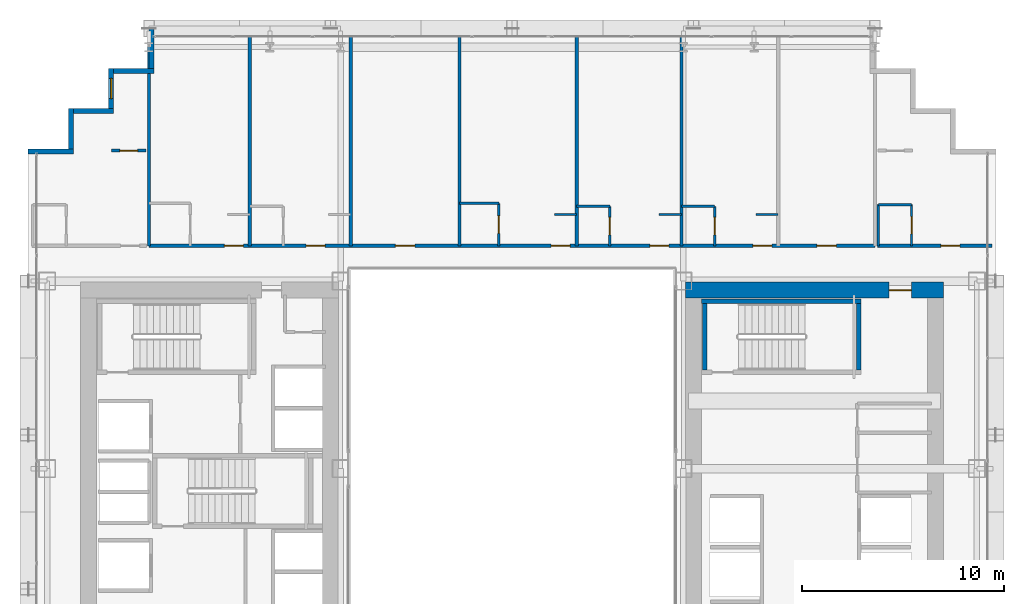
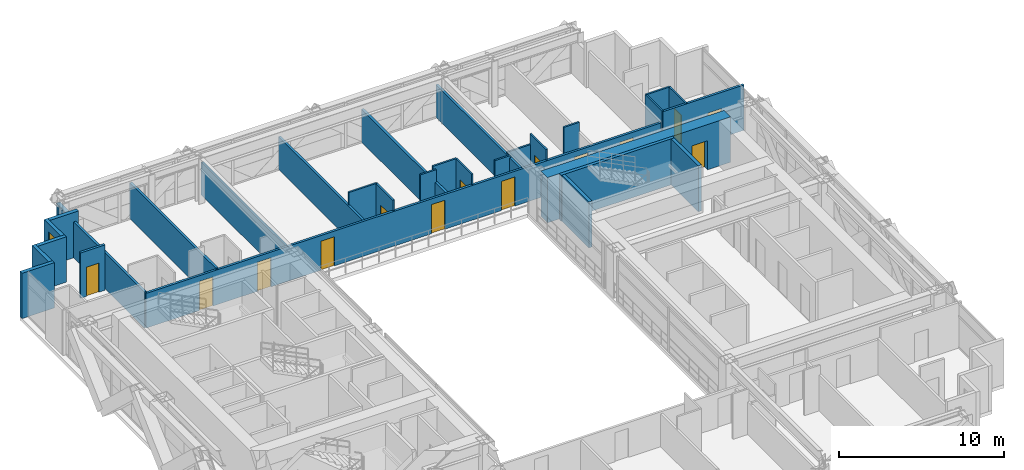
# One storey, part 36 of 41: 31 walls, 14 doors, 1 window, 15 openings.
"""IFC4 building model written with IfcOpenShell, lengths in metres."""

from ifc_helpers import new_model, si_unit, direction, frame, frame_2d, origin, place, context, subcontext, project, spatial, rectangle, extrude, source, transform, mapped, material, layer, layer_set, type_object, element, fill, save


model = new_model("IFC4")

# Units and contexts
model_context = context("Model", 3, precision=1e-05, world=origin(), true_north=direction((0.0, 1.0)))
body_context = subcontext(model_context, "Body", "Model", "MODEL_VIEW")
ifc_project = project(units=[si_unit("LENGTHUNIT", "METRE"), si_unit("AREAUNIT", "SQUARE_METRE"), si_unit("VOLUMEUNIT", "CUBIC_METRE"), si_unit("PLANEANGLEUNIT", "RADIAN"), si_unit("MASSUNIT", "GRAM", prefix="KILO")], contexts=[model_context])

# Site, building, storey
site_placement = place(None, origin())
site = spatial("IfcSite", under=ifc_project, at=site_placement, CompositionType="ELEMENT")
building_placement = place(site_placement, origin())
building = spatial("IfcBuilding", under=site, at=building_placement, Name="Ocotamira Hotel", CompositionType="ELEMENT")
storey_placement = place(building_placement, frame((0.0, 0.0, 67.199951171875)))
storey = spatial("IfcBuildingStorey", under=building, at=storey_placement, Name="L16", CompositionType="ELEMENT", Elevation=67.199951171875)

# Wall, opening, door
ifc_material_1 = material(Name="Concrete C60/75", Category="concrete")
ifc_layer_1 = layer(ifc_material_1, 0.800048828125)
ifc_layer_set_1 = layer_set([ifc_layer_1], Name="Concrete C60/75")
wall_type_1 = type_object("IfcWallType", Name="WL-CORE-800", PredefinedType="SHEAR", material=ifc_layer_set_1)
wall_1_placement = place(storey_placement, frame((40.60009765625, 37.0, 0.0), z_axis=(0.0, 0.0, 1.0), x_axis=(1.0, 0.0, 0.0)))
wall_1 = element("IfcWall", 1, at=wall_1_placement, inside=storey, type_object=wall_type_1, Name="L16 Shear Core Wall ECORE-N", PredefinedType="SHEAR", context=body_context, shape_type="SweptSolid", body=[
    extrude(rectangle(XDim=12.7998046875, YDim=0.800048828125, at=frame_2d((6.39990234375, 0.0))), origin(), (0.0, 0.0, 1.0), 3.35009765625),
])
opening_1_placement = place(wall_1_placement, frame((10.10009765625, 0.0, 0.0)))
opening_1 = element("IfcOpeningElement", 2, at=opening_1_placement, cuts=wall_1, Name="Opening D-FR1", PredefinedType="OPENING", context=body_context, shape_type="SweptSolid", body=[
    extrude(rectangle(XDim=1.10009765625, YDim=2.14990234375, at=frame_2d((0.550048828125, 1.074951171875))), frame((0.0, 0.41015625, 0.0), z_axis=(0.0, -1.0, 0.0), x_axis=(1.0, 0.0, 0.0)), (0.0, 0.0, 1.0), 0.820068359375),
])
ifc_material_2 = material(Name="Fire-rated acoustic timber-veneer door", Category="wood")
door_type_1 = type_object("IfcDoorType", Name="DR-FIRE-1100", OperationType="NOTDEFINED", PredefinedType="DOOR", material=ifc_material_2)
shared_shape_1 = source(origin(), body_context, "Body", "SweptSolid", [
    extrude(rectangle(XDim=1.10009765625, YDim=2.14990234375, at=frame_2d((0.550048828125, 1.074951171875))), frame((0.0, 0.02490234375, 0.0), z_axis=(0.0, -1.0, 0.0), x_axis=(1.0, 0.0, 0.0)), (0.0, 0.0, 1.0), 0.050048828125),
])
door_1_placement = place(opening_1_placement, origin())
door_1 = element("IfcDoor", 3, at=door_1_placement, inside=storey, type_object=door_type_1, Name="L16 Door ID-L16-ELOB-N-D [ID-L16-ELOB-N-D]", OperationType="SINGLE_SWING_LEFT", OverallHeight=2.14990234375, OverallWidth=1.10009765625, PredefinedType="DOOR", context=body_context, shape_type="MappedRepresentation", body=[
    mapped(shared_shape_1, transform((0.0, 0.0, 0.0), scale=1.0)),
])
fill(opening_1, door_1)

# Walls
ifc_material_3 = material(Name="Precast concrete C45/55", Category="concrete")
ifc_layer_2 = layer(ifc_material_3, 0.25)
ifc_layer_set_2 = layer_set([ifc_layer_2], Name="Precast concrete C45/55")
wall_type_2 = type_object("IfcWallType", Name="WL-EXT-SER-250", PredefinedType="SOLIDWALL", material=ifc_layer_set_2)
wall_2_placement = place(storey_placement, frame((14.125, 50.0, 0.0), z_axis=(0.0, 0.0, 1.0), x_axis=(0.0, -1.0, 0.0)))
element("IfcWall", 4, at=wall_2_placement, inside=storey, type_object=wall_type_2, Name="L16 Serrated Corner Wall 13", PredefinedType="SOLIDWALL", context=body_context, shape_type="SweptSolid", body=[
    extrude(rectangle(XDim=2.0, YDim=0.25, at=frame_2d((1.0, 0.0))), origin(), (0.0, 0.0, 1.0), 2.656982421875),
])
wall_3_placement = place(storey_placement, frame((14.25, 47.875, 0.0), z_axis=(0.0, 0.0, 1.0), x_axis=(-1.0, 0.0, 0.0)))
element("IfcWall", 5, at=wall_3_placement, inside=storey, type_object=wall_type_2, Name="L16 Serrated Corner Wall 14", PredefinedType="SOLIDWALL", context=body_context, shape_type="SweptSolid", body=[
    extrude(rectangle(XDim=2.0, YDim=0.25, at=frame_2d((1.0, 0.0))), origin(), (0.0, 0.0, 1.0), 3.35009765625),
])

# Wall, opening, window
wall_4_placement = place(storey_placement, frame((12.125, 48.0, 0.0), z_axis=(0.0, 0.0, 1.0), x_axis=(0.0, -1.0, 0.0)))
wall_4 = element("IfcWall", 6, at=wall_4_placement, inside=storey, type_object=wall_type_2, Name="L16 Serrated Corner Wall 15", PredefinedType="SOLIDWALL", context=body_context, shape_type="SweptSolid", body=[
    extrude(rectangle(XDim=2.0, YDim=0.25, at=frame_2d((1.0, 0.0))), origin(), (0.0, 0.0, 1.0), 3.35009765625),
])
opening_2_placement = place(wall_4_placement, frame((0.5, 0.0, 0.85009765625)))
opening_2 = element("IfcOpeningElement", 7, at=opening_2_placement, cuts=wall_4, Name="Opening WN-2", PredefinedType="OPENING", context=body_context, shape_type="SweptSolid", body=[
    extrude(rectangle(XDim=1.0, YDim=1.89990234375, at=frame_2d((0.5, 0.949951171875))), frame((0.0, 0.135009765625, 0.0), z_axis=(0.0, -1.0, 0.0), x_axis=(1.0, 0.0, 0.0)), (0.0, 0.0, 1.0), 0.27001953125),
])
ifc_material_4 = material(Name="Double-silver low-E solar glass", Category="glass")
window_type = type_object("IfcWindowType", Name="WIN-SER-1100", PartitioningType="SINGLE_PANEL", PredefinedType="WINDOW", material=ifc_material_4)
shared_shape_2 = source(origin(), body_context, "Body", "SweptSolid", [
    extrude(rectangle(XDim=1.0, YDim=1.89990234375, at=frame_2d((0.5, 0.949951171875))), frame((0.0, 0.030029296875, 0.0), z_axis=(0.0, -1.0, 0.0), x_axis=(1.0, 0.0, 0.0)), (0.0, 0.0, 1.0), 0.06005859375),
])
window_placement = place(opening_2_placement, origin())
window = element("IfcWindow", 8, at=window_placement, inside=storey, type_object=window_type, Name="L16 Serrated Corner Window 15", OverallHeight=1.89990234375, OverallWidth=1.0, PartitioningType="SINGLE_PANEL", PredefinedType="WINDOW", context=body_context, shape_type="MappedRepresentation", body=[
    mapped(shared_shape_2, transform((0.0, 0.0, 0.0), scale=1.0)),
])
fill(opening_2, window)

# Walls
for number, where, z_axis, x_axis, name in (
    (9, (12.25, 45.875, 0.0), (0.0, 0.0, 1.0), (-1.0, 0.0, 0.0), "L16 Serrated Corner Wall 16"),
    (10, (10.125, 46.0, 0.0), (0.0, 0.0, 1.0), (0.0, -1.0, 0.0), "L16 Serrated Corner Wall 17"),
):
    element("IfcWall", number, at=place(storey_placement, frame(where, z_axis=z_axis, x_axis=x_axis)), inside=storey, type_object=wall_type_2, Name=name, PredefinedType="SOLIDWALL", context=body_context, shape_type="SweptSolid", body=[
        extrude(rectangle(XDim=2.0, YDim=0.25, at=frame_2d((1.0, 0.0))), origin(), (0.0, 0.0, 1.0), 3.35009765625),
    ])
wall_5_placement = place(storey_placement, frame((10.25, 43.875, 0.0), z_axis=(0.0, 0.0, 1.0), x_axis=(-1.0, 0.0, 0.0)))
element("IfcWall", 11, at=wall_5_placement, inside=storey, type_object=wall_type_2, Name="L16 Serrated Corner Wall 18", PredefinedType="SOLIDWALL", context=body_context, shape_type="SweptSolid", body=[
    extrude(rectangle(XDim=2.25, YDim=0.25, at=frame_2d((1.125, 0.0))), origin(), (0.0, 0.0, 1.0), 3.35009765625),
])

# Wall, opening, door
ifc_material_5 = material(Name="Acoustic double-layer fire gypsum board partition", Category="gypsum")
ifc_layer_3 = layer(ifc_material_5, 0.159912109375)
ifc_layer_set_3 = layer_set([ifc_layer_3], Name="Acoustic double-layer fire gypsum board partition")
wall_type_3 = type_object("IfcWallType", Name="WL-FIRE-160", PredefinedType="PARTITIONING", material=ifc_layer_set_3)
wall_6_placement = place(storey_placement, frame((50.1201171875, 39.199951171875, 0.0), z_axis=(0.0, 0.0, 1.0), x_axis=(1.0, 0.0, 0.0)))
wall_6 = element("IfcWall", 12, at=wall_6_placement, inside=storey, type_object=wall_type_3, Name="L16 Interior Wall PW-L16-Z1D-CNE-CW", PredefinedType="PARTITIONING", context=body_context, shape_type="SweptSolid", body=[
    extrude(rectangle(XDim=5.679931640625, YDim=0.159912109375, at=frame_2d((2.83984375, 0.0))), origin(), (0.0, 0.0, 1.0), 3.35009765625),
])
opening_3_placement = place(wall_6_placement, frame((3.14990234375, 0.0, 0.0)))
opening_3 = element("IfcOpeningElement", 13, at=opening_3_placement, cuts=wall_6, Name="Opening D-GR1", PredefinedType="OPENING", context=body_context, shape_type="SweptSolid", body=[
    extrude(rectangle(XDim=0.93994140625, YDim=2.14990234375, at=frame_2d((0.469970703125, 1.074951171875))), frame((0.0, 0.08984375, 0.0), z_axis=(0.0, -1.0, 0.0), x_axis=(1.0, 0.0, 0.0)), (0.0, 0.0, 1.0), 0.179931640625),
])
ifc_material_6 = material(Name="Solid-core walnut suite entrance fire door", Category="wood")
door_type_2 = type_object("IfcDoorType", Name="DR-GUEST-940", OperationType="NOTDEFINED", PredefinedType="DOOR", material=ifc_material_6)
shared_shape_3 = source(origin(), body_context, "Body", "SweptSolid", [
    extrude(rectangle(XDim=0.93994140625, YDim=2.14990234375, at=frame_2d((0.469970703125, 1.074951171875))), frame((0.0, 0.02490234375, 0.0), z_axis=(0.0, -1.0, 0.0), x_axis=(1.0, 0.0, 0.0)), (0.0, 0.0, 1.0), 0.050048828125),
])
door_2_placement = place(opening_3_placement, origin())
door_2 = element("IfcDoor", 14, at=door_2_placement, inside=storey, type_object=door_type_2, Name="L16 Door ID-L16-Z1D-CNE-CD [ID-L16-Z1D-CNE-CD]", OperationType="SINGLE_SWING_RIGHT", OverallHeight=2.14990234375, OverallWidth=0.93994140625, PredefinedType="DOOR", context=body_context, shape_type="MappedRepresentation", body=[
    mapped(shared_shape_3, transform((0.0, 0.0, 0.0), scale=1.0)),
])
fill(opening_3, door_2)

wall_7_placement = place(storey_placement, frame((12.14990234375, 43.919921875, 0.0), z_axis=(0.0, 0.0, 1.0), x_axis=(1.0, 0.0, 0.0)))
wall_7 = element("IfcWall", 15, at=wall_7_placement, inside=storey, type_object=wall_type_3, Name="L16 Interior Wall PW-L16-Z1D-CNW2-CW", PredefinedType="PARTITIONING", context=body_context, shape_type="SweptSolid", body=[
    extrude(rectangle(XDim=1.7001953125, YDim=0.159912109375, at=frame_2d((0.85009765625, 0.0))), origin(), (0.0, 0.0, 1.0), 3.35009765625),
])
opening_4_placement = place(wall_7_placement, frame((0.409912109375, 0.0, 0.0)))
opening_4 = element("IfcOpeningElement", 16, at=opening_4_placement, cuts=wall_7, Name="Opening D-SV2", PredefinedType="OPENING", context=body_context, shape_type="SweptSolid", body=[
    extrude(rectangle(XDim=0.8798828125, YDim=2.14990234375, at=frame_2d((0.43994140625, 1.074951171875))), frame((0.0, 0.08984375, 0.0), z_axis=(0.0, -1.0, 0.0), x_axis=(1.0, 0.0, 0.0)), (0.0, 0.0, 1.0), 0.179931640625),
])
ifc_material_7 = material(Name="Fire-rated painted steel service door", Category="steel")
door_type_3 = type_object("IfcDoorType", Name="DR-SERV-880", OperationType="NOTDEFINED", PredefinedType="DOOR", material=ifc_material_7)
shared_shape_4 = source(origin(), body_context, "Body", "SweptSolid", [
    extrude(rectangle(XDim=0.8798828125, YDim=2.14990234375, at=frame_2d((0.43994140625, 1.074951171875))), frame((0.0, 0.02490234375, 0.0), z_axis=(0.0, -1.0, 0.0), x_axis=(1.0, 0.0, 0.0)), (0.0, 0.0, 1.0), 0.050048828125),
])
door_3_placement = place(opening_4_placement, origin())
door_3 = element("IfcDoor", 17, at=door_3_placement, inside=storey, type_object=door_type_3, Name="L16 Door ID-L16-Z1D-CNW2-CD [ID-L16-Z1D-CNW2-CD]", OperationType="SINGLE_SWING_LEFT", OverallHeight=2.14990234375, OverallWidth=0.8798828125, PredefinedType="DOOR", context=body_context, shape_type="MappedRepresentation", body=[
    mapped(shared_shape_4, transform((0.0, 0.0, 0.0), scale=1.0)),
])
fill(opening_4, door_3)

# Wall, openings, doors
wall_8_placement = place(storey_placement, frame((14.0, 39.199951171875, 0.0), z_axis=(0.0, 0.0, 1.0), x_axis=(1.0, 0.0, 0.0)))
wall_8 = element("IfcWall", 18, at=wall_8_placement, inside=storey, type_object=wall_type_3, Name="L16 Interior Wall PW-L16-Z1DN-CORRW", PredefinedType="PARTITIONING", context=body_context, shape_type="SweptSolid", body=[
    extrude(rectangle(XDim=36.0, YDim=0.159912109375, at=frame_2d((18.0, 0.0))), origin(), (0.0, 0.0, 1.0), 2.571044921875),
])
opening_5_placement = place(wall_8_placement, frame((3.739990234375, 0.0, 0.0)))
opening_5 = element("IfcOpeningElement", 19, at=opening_5_placement, cuts=wall_8, Name="Opening D-GR1", PredefinedType="OPENING", context=body_context, shape_type="SweptSolid", body=[
    extrude(rectangle(XDim=0.93994140625, YDim=2.14990234375, at=frame_2d((0.469970703125, 1.074951171875))), frame((0.0, 0.08984375, 0.0), z_axis=(0.0, -1.0, 0.0), x_axis=(1.0, 0.0, 0.0)), (0.0, 0.0, 1.0), 0.179931640625),
])
opening_6_placement = place(wall_8_placement, frame((7.7900390625, 0.0, 0.0)))
opening_6 = element("IfcOpeningElement", 20, at=opening_6_placement, cuts=wall_8, Name="Opening D-GR1", PredefinedType="OPENING", context=body_context, shape_type="SweptSolid", body=[
    extrude(rectangle(XDim=0.93994140625, YDim=2.14990234375, at=frame_2d((0.469970703125, 1.074951171875))), frame((0.0, 0.08984375, 0.0), z_axis=(0.0, -1.0, 0.0), x_axis=(1.0, 0.0, 0.0)), (0.0, 0.0, 1.0), 0.179931640625),
])
opening_7_placement = place(wall_8_placement, frame((12.219970703125, 0.0, 0.0)))
opening_7 = element("IfcOpeningElement", 21, at=opening_7_placement, cuts=wall_8, Name="Opening D-SV4", PredefinedType="OPENING", context=body_context, shape_type="SweptSolid", body=[
    extrude(rectangle(XDim=0.9599609375, YDim=2.14990234375, at=frame_2d((0.47998046875, 1.074951171875))), frame((0.0, 0.08984375, 0.0), z_axis=(0.0, -1.0, 0.0), x_axis=(1.0, 0.0, 0.0)), (0.0, 0.0, 1.0), 0.179931640625),
])
opening_8_placement = place(wall_8_placement, frame((19.93994140625, 0.0, 0.0)))
opening_8 = element("IfcOpeningElement", 22, at=opening_8_placement, cuts=wall_8, Name="Opening D-GR1", PredefinedType="OPENING", context=body_context, shape_type="SweptSolid", body=[
    extrude(rectangle(XDim=0.93994140625, YDim=2.14990234375, at=frame_2d((0.469970703125, 1.074951171875))), frame((0.0, 0.08984375, 0.0), z_axis=(0.0, -1.0, 0.0), x_axis=(1.0, 0.0, 0.0)), (0.0, 0.0, 1.0), 0.179931640625),
])
opening_9_placement = place(wall_8_placement, frame((24.840087890625, 0.0, 0.0)))
opening_9 = element("IfcOpeningElement", 23, at=opening_9_placement, cuts=wall_8, Name="Opening D-GR1", PredefinedType="OPENING", context=body_context, shape_type="SweptSolid", body=[
    extrude(rectangle(XDim=0.93994140625, YDim=2.14990234375, at=frame_2d((0.469970703125, 1.074951171875))), frame((0.0, 0.08984375, 0.0), z_axis=(0.0, -1.0, 0.0), x_axis=(1.0, 0.0, 0.0)), (0.0, 0.0, 1.0), 0.179931640625),
])
opening_10_placement = place(wall_8_placement, frame((29.93994140625, 0.0, 0.0)))
opening_10 = element("IfcOpeningElement", 24, at=opening_10_placement, cuts=wall_8, Name="Opening D-GR1", PredefinedType="OPENING", context=body_context, shape_type="SweptSolid", body=[
    extrude(rectangle(XDim=0.93994140625, YDim=2.14990234375, at=frame_2d((0.469970703125, 1.074951171875))), frame((0.0, 0.08984375, 0.0), z_axis=(0.0, -1.0, 0.0), x_axis=(1.0, 0.0, 0.0)), (0.0, 0.0, 1.0), 0.179931640625),
])
opening_11_placement = place(wall_8_placement, frame((33.1201171875, 0.0, 0.0)))
opening_11 = element("IfcOpeningElement", 25, at=opening_11_placement, cuts=wall_8, Name="Opening D-SV4", PredefinedType="OPENING", context=body_context, shape_type="SweptSolid", body=[
    extrude(rectangle(XDim=0.9599609375, YDim=2.14990234375, at=frame_2d((0.47998046875, 1.074951171875))), frame((0.0, 0.08984375, 0.0), z_axis=(0.0, -1.0, 0.0), x_axis=(1.0, 0.0, 0.0)), (0.0, 0.0, 1.0), 0.179931640625),
])
ifc_material_8 = material(Name="Fire-rated accessible walnut salon door", Category="wood")
door_type_4 = type_object("IfcDoorType", Name="DR-SERV-960", OperationType="NOTDEFINED", PredefinedType="DOOR", material=ifc_material_8)
shared_shape_5 = source(origin(), body_context, "Body", "SweptSolid", [
    extrude(rectangle(XDim=0.9599609375, YDim=2.14990234375, at=frame_2d((0.47998046875, 1.074951171875))), frame((0.0, 0.02490234375, 0.0), z_axis=(0.0, -1.0, 0.0), x_axis=(1.0, 0.0, 0.0)), (0.0, 0.0, 1.0), 0.050048828125),
])
door_4_placement = place(opening_7_placement, origin())
door_4 = element("IfcDoor", 26, at=door_4_placement, inside=storey, type_object=door_type_4, Name="L16 Door ID-L16-Z1DN-AMD3 [ID-L16-Z1DN-AMD3]", OperationType="SINGLE_SWING_LEFT", OverallHeight=2.14990234375, OverallWidth=0.9599609375, PredefinedType="DOOR", context=body_context, shape_type="MappedRepresentation", body=[
    mapped(shared_shape_5, transform((0.0, 0.0, 0.0), scale=1.0)),
])
fill(opening_7, door_4)
door_5_placement = place(opening_11_placement, origin())
door_5 = element("IfcDoor", 27, at=door_5_placement, inside=storey, type_object=door_type_4, Name="L16 Door ID-L16-Z1DN-AMD7 [ID-L16-Z1DN-AMD7]", OperationType="SINGLE_SWING_LEFT", OverallHeight=2.14990234375, OverallWidth=0.9599609375, PredefinedType="DOOR", context=body_context, shape_type="MappedRepresentation", body=[
    mapped(shared_shape_5, transform((0.0, 0.0, 0.0), scale=1.0)),
])
fill(opening_11, door_5)
door_6_placement = place(opening_5_placement, origin())
door_6 = element("IfcDoor", 28, at=door_6_placement, inside=storey, type_object=door_type_2, Name="L16 Door ID-L16-Z1DN-RMD1 [ID-L16-Z1DN-RMD1]", OperationType="SINGLE_SWING_LEFT", OverallHeight=2.14990234375, OverallWidth=0.93994140625, PredefinedType="DOOR", context=body_context, shape_type="MappedRepresentation", body=[
    mapped(shared_shape_3, transform((0.0, 0.0, 0.0), scale=1.0)),
])
fill(opening_5, door_6)
door_7_placement = place(opening_6_placement, origin())
door_7 = element("IfcDoor", 29, at=door_7_placement, inside=storey, type_object=door_type_2, Name="L16 Door ID-L16-Z1DN-RMD2 [ID-L16-Z1DN-RMD2]", OperationType="SINGLE_SWING_RIGHT", OverallHeight=2.14990234375, OverallWidth=0.93994140625, PredefinedType="DOOR", context=body_context, shape_type="MappedRepresentation", body=[
    mapped(shared_shape_3, transform((0.0, 0.0, 0.0), scale=1.0)),
])
fill(opening_6, door_7)
door_8_placement = place(opening_8_placement, origin())
door_8 = element("IfcDoor", 30, at=door_8_placement, inside=storey, type_object=door_type_2, Name="L16 Door ID-L16-Z1DN-RMD4 [ID-L16-Z1DN-RMD4]", OperationType="SINGLE_SWING_RIGHT", OverallHeight=2.14990234375, OverallWidth=0.93994140625, PredefinedType="DOOR", context=body_context, shape_type="MappedRepresentation", body=[
    mapped(shared_shape_3, transform((0.0, 0.0, 0.0), scale=1.0)),
])
fill(opening_8, door_8)
door_9_placement = place(opening_9_placement, origin())
door_9 = element("IfcDoor", 31, at=door_9_placement, inside=storey, type_object=door_type_2, Name="L16 Door ID-L16-Z1DN-RMD5 [ID-L16-Z1DN-RMD5]", OperationType="SINGLE_SWING_LEFT", OverallHeight=2.14990234375, OverallWidth=0.93994140625, PredefinedType="DOOR", context=body_context, shape_type="MappedRepresentation", body=[
    mapped(shared_shape_3, transform((0.0, 0.0, 0.0), scale=1.0)),
])
fill(opening_9, door_9)
door_10_placement = place(opening_10_placement, origin())
door_10 = element("IfcDoor", 32, at=door_10_placement, inside=storey, type_object=door_type_2, Name="L16 Door ID-L16-Z1DN-RMD6 [ID-L16-Z1DN-RMD6]", OperationType="SINGLE_SWING_RIGHT", OverallHeight=2.14990234375, OverallWidth=0.93994140625, PredefinedType="DOOR", context=body_context, shape_type="MappedRepresentation", body=[
    mapped(shared_shape_3, transform((0.0, 0.0, 0.0), scale=1.0)),
])
fill(opening_10, door_10)

# Wall, opening, door
ifc_material_9 = material(Name="Moisture-resistant en-suite tile and gypsum partition", Category="gypsum")
ifc_layer_4 = layer(ifc_material_9, 0.1201171875)
ifc_layer_set_4 = layer_set([ifc_layer_4], Name="Moisture-resistant en-suite tile and gypsum partition")
wall_type_4 = type_object("IfcWallType", Name="WL-PART-120", PredefinedType="PARTITIONING", material=ifc_layer_set_4)
wall_9_placement = place(storey_placement, frame((51.81005859375, 39.199951171875, 0.0), z_axis=(0.0, 0.0, 1.0), x_axis=(0.0, 1.0, 0.0)))
wall_9 = element("IfcWall", 33, at=wall_9_placement, inside=storey, type_object=wall_type_4, Name="L16 Interior Wall PW-L16-Z1D-CNE-BE", PredefinedType="PARTITIONING", context=body_context, shape_type="SweptSolid", body=[
    extrude(rectangle(XDim=2.0400390625, YDim=0.1201171875, at=frame_2d((1.02001953125, 0.0))), origin(), (0.0, 0.0, 1.0), 3.35009765625),
])
opening_12_placement = place(wall_9_placement, frame((0.590087890625, 0.0, 0.0)))
opening_12 = element("IfcOpeningElement", 34, at=opening_12_placement, cuts=wall_9, Name="Opening D-BA1", PredefinedType="OPENING", context=body_context, shape_type="SweptSolid", body=[
    extrude(rectangle(XDim=0.860107421875, YDim=2.10009765625, at=frame_2d((0.43017578125, 1.050048828125))), frame((0.0, 0.070068359375, 0.0), z_axis=(0.0, -1.0, 0.0), x_axis=(1.0, 0.0, 0.0)), (0.0, 0.0, 1.0), 0.14013671875),
])
ifc_material_10 = material(Name="Moisture-sealed en-suite timber door", Category="wood")
door_type_5 = type_object("IfcDoorType", Name="DR-BATH-860", OperationType="NOTDEFINED", PredefinedType="DOOR", material=ifc_material_10)
shared_shape_6 = source(origin(), body_context, "Body", "SweptSolid", [
    extrude(rectangle(XDim=0.860107421875, YDim=2.10009765625, at=frame_2d((0.43017578125, 1.050048828125))), frame((0.0, 0.02490234375, 0.0), z_axis=(0.0, -1.0, 0.0), x_axis=(1.0, 0.0, 0.0)), (0.0, 0.0, 1.0), 0.050048828125),
])
door_11_placement = place(opening_12_placement, origin())
door_11 = element("IfcDoor", 35, at=door_11_placement, inside=storey, type_object=door_type_5, Name="L16 Door ID-L16-Z1D-CNE-BD [ID-L16-Z1D-CNE-BD]", OperationType="SINGLE_SWING_LEFT", OverallHeight=2.10009765625, OverallWidth=0.860107421875, PredefinedType="DOOR", context=body_context, shape_type="MappedRepresentation", body=[
    mapped(shared_shape_6, transform((0.0, 0.0, 0.0), scale=1.0)),
])
fill(opening_12, door_11)

# Walls
wall_10_placement = place(storey_placement, frame((50.159912109375, 39.199951171875, 0.0), z_axis=(0.0, 0.0, 1.0), x_axis=(0.0, 1.0, 0.0)))
element("IfcWall", 36, at=wall_10_placement, inside=storey, type_object=wall_type_4, Name="L16 Interior Wall PW-L16-Z1D-CNE-BW", PredefinedType="PARTITIONING", context=body_context, shape_type="SweptSolid", body=[
    extrude(rectangle(XDim=2.0400390625, YDim=0.1201171875, at=frame_2d((1.02001953125, 0.0))), origin(), (0.0, 0.0, 1.0), 3.35009765625),
])
wall_11_placement = place(storey_placement, frame((50.159912109375, 41.239990234375, 0.0), z_axis=(0.0, 0.0, 1.0), x_axis=(1.0, 0.0, 0.0)))
element("IfcWall", 37, at=wall_11_placement, inside=storey, type_object=wall_type_4, Name="L16 Interior Wall PW-L16-Z1D-CNE-BH", PredefinedType="PARTITIONING", context=body_context, shape_type="SweptSolid", body=[
    extrude(rectangle(XDim=1.650146484375, YDim=0.1201171875, at=frame_2d((0.8251953125, 0.0))), origin(), (0.0, 0.0, 1.0), 3.35009765625),
])

# Wall, opening, door
wall_12_placement = place(storey_placement, frame((31.35009765625, 39.199951171875, 0.0), z_axis=(0.0, 0.0, 1.0), x_axis=(0.0, 1.0, 0.0)))
wall_12 = element("IfcWall", 38, at=wall_12_placement, inside=storey, type_object=wall_type_4, Name="L16 Interior Wall PW-L16-Z1DN-BAE4", PredefinedType="PARTITIONING", context=body_context, shape_type="SweptSolid", body=[
    extrude(rectangle(XDim=2.10009765625, YDim=0.1201171875, at=frame_2d((1.050048828125, 0.0))), origin(), (0.0, 0.0, 1.0), 3.35009765625),
])
opening_13_placement = place(wall_12_placement, frame((0.6201171875, 0.0, 0.0)))
opening_13 = element("IfcOpeningElement", 39, at=opening_13_placement, cuts=wall_12, Name="Opening D-BA1", PredefinedType="OPENING", context=body_context, shape_type="SweptSolid", body=[
    extrude(rectangle(XDim=0.860107421875, YDim=2.10009765625, at=frame_2d((0.43017578125, 1.050048828125))), frame((0.0, 0.070068359375, 0.0), z_axis=(0.0, -1.0, 0.0), x_axis=(1.0, 0.0, 0.0)), (0.0, 0.0, 1.0), 0.14013671875),
])
door_12_placement = place(opening_13_placement, origin())
door_12 = element("IfcDoor", 40, at=door_12_placement, inside=storey, type_object=door_type_5, Name="L16 Door ID-L16-Z1DN-BAD4 [ID-L16-Z1DN-BAD4]", OperationType="SINGLE_SWING_LEFT", OverallHeight=2.10009765625, OverallWidth=0.860107421875, PredefinedType="DOOR", context=body_context, shape_type="MappedRepresentation", body=[
    mapped(shared_shape_6, transform((0.0, 0.0, 0.0), scale=1.0)),
])
fill(opening_13, door_12)

# Walls
wall_13_placement = place(storey_placement, frame((29.39990234375, 41.300048828125, 0.0), z_axis=(0.0, 0.0, 1.0), x_axis=(1.0, 0.0, 0.0)))
element("IfcWall", 41, at=wall_13_placement, inside=storey, type_object=wall_type_4, Name="L16 Interior Wall PW-L16-Z1DN-BAN4", PredefinedType="PARTITIONING", context=body_context, shape_type="SweptSolid", body=[
    extrude(rectangle(XDim=1.9501953125, YDim=0.1201171875, at=frame_2d((0.97509765625, 0.0))), origin(), (0.0, 0.0, 1.0), 3.35009765625),
])
wall_14_placement = place(storey_placement, frame((34.10009765625, 40.75, 0.0), z_axis=(0.0, 0.0, 1.0), x_axis=(1.0, 0.0, 0.0)))
element("IfcWall", 42, at=wall_14_placement, inside=storey, type_object=wall_type_4, Name="L16 Interior Wall PW-L16-Z1DN-DRN4", PredefinedType="PARTITIONING", context=body_context, shape_type="SweptSolid", body=[
    extrude(rectangle(XDim=1.099853515625, YDim=0.1201171875, at=frame_2d((0.5498046875, 0.0))), origin(), (0.0, 0.0, 1.0), 3.35009765625),
])

# Wall, opening, door
wall_15_placement = place(storey_placement, frame((36.85009765625, 39.199951171875, 0.0), z_axis=(0.0, 0.0, 1.0), x_axis=(0.0, 1.0, 0.0)))
wall_15 = element("IfcWall", 43, at=wall_15_placement, inside=storey, type_object=wall_type_4, Name="L16 Interior Wall PW-L16-Z1DN-BAE5", PredefinedType="PARTITIONING", context=body_context, shape_type="SweptSolid", body=[
    extrude(rectangle(XDim=1.949951171875, YDim=0.1201171875, at=frame_2d((0.97509765625, 0.0))), origin(), (0.0, 0.0, 1.0), 3.35009765625),
])
opening_14_placement = place(wall_15_placement, frame((0.544921875, 0.0, 0.0)))
opening_14 = element("IfcOpeningElement", 44, at=opening_14_placement, cuts=wall_15, Name="Opening D-BA1", PredefinedType="OPENING", context=body_context, shape_type="SweptSolid", body=[
    extrude(rectangle(XDim=0.860107421875, YDim=2.10009765625, at=frame_2d((0.43017578125, 1.050048828125))), frame((0.0, 0.070068359375, 0.0), z_axis=(0.0, -1.0, 0.0), x_axis=(1.0, 0.0, 0.0)), (0.0, 0.0, 1.0), 0.14013671875),
])
door_13_placement = place(opening_14_placement, origin())
door_13 = element("IfcDoor", 45, at=door_13_placement, inside=storey, type_object=door_type_5, Name="L16 Door ID-L16-Z1DN-BAD5 [ID-L16-Z1DN-BAD5]", OperationType="SINGLE_SWING_RIGHT", OverallHeight=2.10009765625, OverallWidth=0.860107421875, PredefinedType="DOOR", context=body_context, shape_type="MappedRepresentation", body=[
    mapped(shared_shape_6, transform((0.0, 0.0, 0.0), scale=1.0)),
])
fill(opening_14, door_13)

# Walls
wall_16_placement = place(storey_placement, frame((35.199951171875, 41.14990234375, 0.0), z_axis=(0.0, 0.0, 1.0), x_axis=(1.0, 0.0, 0.0)))
element("IfcWall", 46, at=wall_16_placement, inside=storey, type_object=wall_type_4, Name="L16 Interior Wall PW-L16-Z1DN-BAN5", PredefinedType="PARTITIONING", context=body_context, shape_type="SweptSolid", body=[
    extrude(rectangle(XDim=1.650146484375, YDim=0.1201171875, at=frame_2d((0.8251953125, 0.0))), origin(), (0.0, 0.0, 1.0), 3.35009765625),
])
wall_17_placement = place(storey_placement, frame((39.300048828125, 40.75, 0.0), z_axis=(0.0, 0.0, 1.0), x_axis=(1.0, 0.0, 0.0)))
element("IfcWall", 47, at=wall_17_placement, inside=storey, type_object=wall_type_4, Name="L16 Interior Wall PW-L16-Z1DN-DRN5", PredefinedType="PARTITIONING", context=body_context, shape_type="SweptSolid", body=[
    extrude(rectangle(XDim=1.099853515625, YDim=0.1201171875, at=frame_2d((0.5498046875, 0.0))), origin(), (0.0, 0.0, 1.0), 2.571044921875),
])

# Wall, opening, door
wall_18_placement = place(storey_placement, frame((42.050048828125, 39.199951171875, 0.0), z_axis=(0.0, 0.0, 1.0), x_axis=(0.0, 1.0, 0.0)))
wall_18 = element("IfcWall", 48, at=wall_18_placement, inside=storey, type_object=wall_type_4, Name="L16 Interior Wall PW-L16-Z1DN-BAE6", PredefinedType="PARTITIONING", context=body_context, shape_type="SweptSolid", body=[
    extrude(rectangle(XDim=1.949951171875, YDim=0.1201171875, at=frame_2d((0.97509765625, 0.0))), origin(), (0.0, 0.0, 1.0), 3.35009765625),
])
opening_15_placement = place(wall_18_placement, frame((0.544921875, 0.0, 0.0)))
opening_15 = element("IfcOpeningElement", 49, at=opening_15_placement, cuts=wall_18, Name="Opening D-BA1", PredefinedType="OPENING", context=body_context, shape_type="SweptSolid", body=[
    extrude(rectangle(XDim=0.860107421875, YDim=2.10009765625, at=frame_2d((0.43017578125, 1.050048828125))), frame((0.0, 0.070068359375, 0.0), z_axis=(0.0, -1.0, 0.0), x_axis=(1.0, 0.0, 0.0)), (0.0, 0.0, 1.0), 0.14013671875),
])
door_14_placement = place(opening_15_placement, origin())
door_14 = element("IfcDoor", 50, at=door_14_placement, inside=storey, type_object=door_type_5, Name="L16 Door ID-L16-Z1DN-BAD6 [ID-L16-Z1DN-BAD6]", OperationType="SINGLE_SWING_LEFT", OverallHeight=2.10009765625, OverallWidth=0.860107421875, PredefinedType="DOOR", context=body_context, shape_type="MappedRepresentation", body=[
    mapped(shared_shape_6, transform((0.0, 0.0, 0.0), scale=1.0)),
])
fill(opening_15, door_14)

# Walls
wall_19_placement = place(storey_placement, frame((40.39990234375, 41.14990234375, 0.0), z_axis=(0.0, 0.0, 1.0), x_axis=(1.0, 0.0, 0.0)))
element("IfcWall", 51, at=wall_19_placement, inside=storey, type_object=wall_type_4, Name="L16 Interior Wall PW-L16-Z1DN-BAN6", PredefinedType="PARTITIONING", context=body_context, shape_type="SweptSolid", body=[
    extrude(rectangle(XDim=1.650146484375, YDim=0.1201171875, at=frame_2d((0.8251953125, 0.0))), origin(), (0.0, 0.0, 1.0), 2.571044921875),
])
wall_20_placement = place(storey_placement, frame((44.10009765625, 40.75, 0.0), z_axis=(0.0, 0.0, 1.0), x_axis=(1.0, 0.0, 0.0)))
element("IfcWall", 52, at=wall_20_placement, inside=storey, type_object=wall_type_4, Name="L16 Interior Wall PW-L16-Z1DN-DRN6", PredefinedType="PARTITIONING", context=body_context, shape_type="SweptSolid", body=[
    extrude(rectangle(XDim=1.099853515625, YDim=0.1201171875, at=frame_2d((0.5498046875, 0.0))), origin(), (0.0, 0.0, 1.0), 3.35009765625),
])
ifc_material_11 = material(Name="Acoustic double-stud hospitality gypsum partition", Category="gypsum")
ifc_layer_5 = layer(ifc_material_11, 0.159912109375)
ifc_layer_set_5 = layer_set([ifc_layer_5], Name="Acoustic double-stud hospitality gypsum partition")
wall_type_5 = type_object("IfcWallType", Name="WL-PART-160", PredefinedType="PARTITIONING", material=ifc_layer_set_5)
for number, where, z_axis, x_axis, name in (
    (53, (14.0, 39.199951171875, 0.0), (0.0, 0.0, 1.0), (0.0, 1.0, 0.0), "L16 Interior Wall PW-L16-Z1DN-PW0"),
    (54, (19.0, 39.199951171875, 0.0), (0.0, 0.0, 1.0), (0.0, 1.0, 0.0), "L16 Interior Wall PW-L16-Z1DN-PW1"),
):
    element("IfcWall", number, at=place(storey_placement, frame(where, z_axis=z_axis, x_axis=x_axis)), inside=storey, type_object=wall_type_5, Name=name, PredefinedType="PARTITIONING", context=body_context, shape_type="SweptSolid", body=[
        extrude(rectangle(XDim=10.43994140625, YDim=0.159912109375, at=frame_2d((5.219970703125, 0.0))), origin(), (0.0, 0.0, 1.0), 2.656982421875),
    ])
for number, where, z_axis, x_axis, name in (
    (55, (24.0, 39.199951171875, 0.0), (0.0, 0.0, 1.0), (0.0, 1.0, 0.0), "L16 Interior Wall PW-L16-Z1DN-PW2"),
    (56, (29.39990234375, 39.199951171875, 0.0), (0.0, 0.0, 1.0), (0.0, 1.0, 0.0), "L16 Interior Wall PW-L16-Z1DN-PW3"),
    (57, (40.39990234375, 39.199951171875, 0.0), (0.0, 0.0, 1.0), (0.0, 1.0, 0.0), "L16 Interior Wall PW-L16-Z1DN-PW5"),
):
    element("IfcWall", number, at=place(storey_placement, frame(where, z_axis=z_axis, x_axis=x_axis)), inside=storey, type_object=wall_type_5, Name=name, PredefinedType="PARTITIONING", context=body_context, shape_type="SweptSolid", body=[
        extrude(rectangle(XDim=10.43994140625, YDim=0.159912109375, at=frame_2d((5.219970703125, 0.0))), origin(), (0.0, 0.0, 1.0), 2.423095703125),
    ])
ifc_material_12 = material(Name="Double-stud suite party gypsum partition", Category="gypsum")
ifc_layer_6 = layer(ifc_material_12, 0.175048828125)
ifc_layer_set_6 = layer_set([ifc_layer_6], Name="Double-stud suite party gypsum partition")
wall_type_6 = type_object("IfcWallType", Name="WL-PART-175", PredefinedType="PARTITIONING", material=ifc_layer_set_6)
wall_21_placement = place(storey_placement, frame((35.199951171875, 39.199951171875, 0.0), z_axis=(0.0, 0.0, 1.0), x_axis=(0.0, 1.0, 0.0)))
element("IfcWall", 58, at=wall_21_placement, inside=storey, type_object=wall_type_6, Name="L16 Interior Wall PW-L16-Z1DN-PW4", PredefinedType="PARTITIONING", context=body_context, shape_type="SweptSolid", body=[
    extrude(rectangle(XDim=10.43994140625, YDim=0.175048828125, at=frame_2d((5.219970703125, 0.0))), origin(), (0.0, 0.0, 1.0), 2.423095703125),
])
ifc_material_13 = material(Name="Concrete C50/60", Category="concrete")
ifc_layer_7 = layer(ifc_material_13, 0.219970703125)
ifc_layer_set_7 = layer_set([ifc_layer_7], Name="Concrete C50/60")
wall_type_7 = type_object("IfcWallType", Name="WL-STAIR-220", PredefinedType="SHEAR", material=ifc_layer_set_7)
wall_22_placement = place(storey_placement, frame((41.39990234375, 36.43994140625, 0.0), z_axis=(0.0, 0.0, 1.0), x_axis=(1.0, 0.0, 0.0)))
element("IfcWall", 59, at=wall_22_placement, inside=storey, type_object=wall_type_7, Name="L16 Stair Shaft Structural Wall ST-4-N", PredefinedType="SHEAR", context=body_context, shape_type="SweptSolid", body=[
    extrude(rectangle(XDim=7.91015625, YDim=0.219970703125, at=frame_2d((3.955078125, 0.0))), origin(), (0.0, 0.0, 1.0), 3.400146484375),
])
for number, where, z_axis, x_axis, name in (
    (60, (41.56005859375, 33.050048828125, 0.0), (0.0, 0.0, 1.0), (0.0, 1.0, 0.0), "L16 Stair Shaft Structural Wall ST-4-W"),
    (61, (49.199951171875, 33.050048828125, 0.0), (0.0, 0.0, 1.0), (0.0, 1.0, 0.0), "L16 Stair Shaft Structural Wall ST-4-E"),
):
    element("IfcWall", number, at=place(storey_placement, frame(where, z_axis=z_axis, x_axis=x_axis)), inside=storey, type_object=wall_type_7, Name=name, PredefinedType="SHEAR", context=body_context, shape_type="SweptSolid", body=[
        extrude(rectangle(XDim=3.280029296875, YDim=0.219970703125, at=frame_2d((1.64013671875, 0.0))), origin(), (0.0, 0.0, 1.0), 3.400146484375),
    ])

save(model, "model.ifc")
